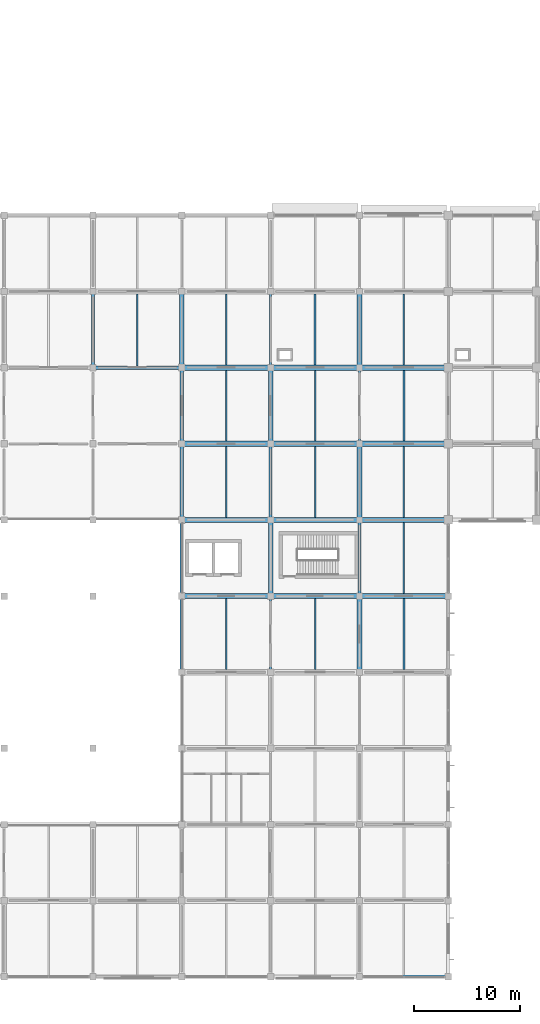
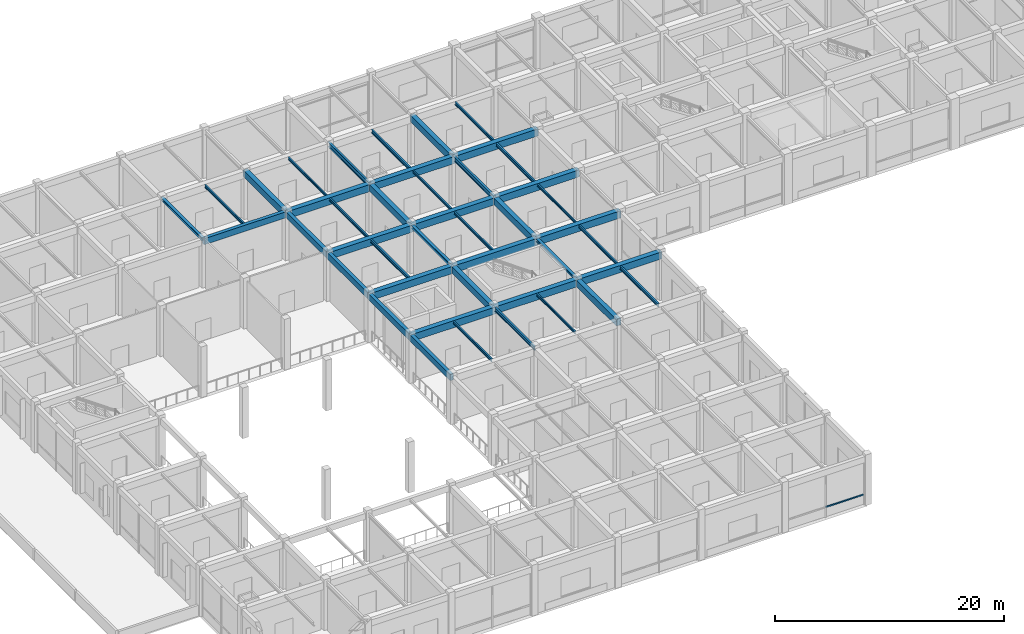
# One storey, part 6 of 38: 43 beams, 1 member, 1 element without a shape of its own.
"""IFC4 building model written with IfcOpenShell, lengths in metres."""

from ifc_helpers import new_model, si_unit, derived_unit, direction, frame, origin, origin_2d, place, context, subcontext, project, spatial, rectangle, i_section, extrude, material, material_profile, profile_set, type_object, element, aggregate, save


model = new_model("IFC4")

# Units and contexts
model_context = context("Model", 3, precision=1e-05, world=origin(), true_north=direction((0.0, 1.0)))
body_context = subcontext(model_context, "Body", "Model", "MODEL_VIEW")
ifc_project = project(units=[si_unit("LENGTHUNIT", "METRE"), si_unit("AREAUNIT", "SQUARE_METRE"), si_unit("VOLUMEUNIT", "CUBIC_METRE"), si_unit("PLANEANGLEUNIT", "RADIAN"), si_unit("MASSUNIT", "GRAM", prefix="KILO"), derived_unit("THERMALTRANSMITTANCEUNIT", [(si_unit("MASSUNIT", "GRAM", prefix="KILO"), 1), (si_unit("TIMEUNIT", "SECOND"), -3), (si_unit("THERMODYNAMICTEMPERATUREUNIT", "KELVIN"), -1)])], contexts=[model_context])

# Site, building, storey
site_placement = place(None, origin())
site = spatial("IfcSite", under=ifc_project, at=site_placement, CompositionType="ELEMENT")
building_placement = place(site_placement, origin())
building = spatial("IfcBuilding", under=site, at=building_placement, Name="Veldstrom Oceanarium and Marine Research Institute", CompositionType="ELEMENT")
storey_placement = place(building_placement, frame((0.0, 0.0, 11.39990234375)))
storey = spatial("IfcBuildingStorey", under=building, at=storey_placement, Name="L02", CompositionType="ELEMENT", Elevation=11.39990234375)

# Curtain wall, member
ifc_material_1 = material(Name="Anodised Aluminium Framing", Category="aluminium")
curtain_wall_type = type_object("IfcCurtainWallType", Name="ARC-CW-CW02", PredefinedType="USERDEFINED", material=ifc_material_1)
curtain_wall_placement = place(storey_placement, origin())
curtain_wall = element("IfcCurtainWall", 1, at=curtain_wall_placement, inside=storey, type_object=curtain_wall_type, Name="Curtain Wall CW02 CW-L02-026", ObjectType="Curtain wall", PredefinedType="USERDEFINED")
ifc_material_2 = material(Name="Anodised Aluminium Framing", Category="aluminium")
ifc_material_profile_1 = material_profile(ifc_material_2, rectangle(XDim=0.074951171875, YDim=0.14990234375, at=origin_2d()), Name="ALU-TRN-75x150")
ifc_profile_set_1 = profile_set([ifc_material_profile_1], Name="Anodised Aluminium Framing")
member_type = type_object("IfcMemberType", Name="ARC-TRN-TR1", PredefinedType="USERDEFINED", material=ifc_profile_set_1)
member_placement = place(storey_placement, frame((63.0400390625, 0.0, 1.050048828125), z_axis=(1.0, 0.0, 0.0), x_axis=(0.0, 1.0, 0.0)))
member = element("IfcMember", 2, at=member_placement, type_object=member_type, Name="Curtain Wall Transom CW-L02-026-TRN-2", ObjectType="Transom", PredefinedType="USERDEFINED", context=body_context, shape_type="SweptSolid", body=[
    extrude(rectangle(XDim=0.074951171875, YDim=0.14990234375, at=origin_2d()), origin(), (0.0, 0.0, 1.0), 3.780029296875),
])
aggregate(curtain_wall, [member])

# Beams
ifc_material_3 = material(Name="Concrete C40/50", Category="concrete")
ifc_material_profile_2 = material_profile(ifc_material_3, rectangle(XDim=0.5, YDim=0.75, at=origin_2d()), Name="RC-BM-500x750")
ifc_profile_set_2 = profile_set([ifc_material_profile_2], Name="Concrete C40/50")
beam_type_1 = type_object("IfcBeamType", Name="STR-BM-B03", PredefinedType="BEAM", material=ifc_profile_set_2)
for number, where, z_axis, x_axis, name in (
    (3, (42.0, 36.0, 4.72021484375), (1.0, 0.0, 0.0), (0.0, 1.0, 0.0), "Primary Beam B03 L02-1524"),
    (4, (42.0, 43.199951171875, 4.72021484375), (1.0, 0.0, 0.0), (0.0, 1.0, 0.0), "Primary Beam B03 L02-1525"),
    (5, (42.0, 50.39990234375, 4.72021484375), (1.0, 0.0, 0.0), (0.0, 1.0, 0.0), "Primary Beam B03 L02-1526"),
    (6, (42.0, 57.60009765625, 4.72021484375), (1.0, 0.0, 0.0), (0.0, 1.0, 0.0), "Primary Beam B03 L02-1527"),
):
    element("IfcBeam", number, at=place(storey_placement, frame(where, z_axis=z_axis, x_axis=x_axis)), inside=storey, type_object=beam_type_1, Name=name, PredefinedType="BEAM", context=body_context, shape_type="SweptSolid", body=[
        extrude(rectangle(XDim=0.5, YDim=0.75, at=origin_2d()), origin(), (0.0, 0.0, 1.0), 8.39990234375),
    ])
for number, where, z_axis, x_axis, name in (
    (7, (50.39990234375, 36.0, 4.72021484375), (1.0, 0.0, 0.0), (0.0, 1.0, 0.0), "Primary Beam B03 L02-1535"),
    (8, (50.39990234375, 43.199951171875, 4.72021484375), (1.0, 0.0, 0.0), (0.0, 1.0, 0.0), "Primary Beam B03 L02-1536"),
    (9, (50.39990234375, 50.39990234375, 4.72021484375), (1.0, 0.0, 0.0), (0.0, 1.0, 0.0), "Primary Beam B03 L02-1537"),
    (10, (50.39990234375, 57.60009765625, 4.72021484375), (1.0, 0.0, 0.0), (0.0, 1.0, 0.0), "Primary Beam B03 L02-1538"),
):
    element("IfcBeam", number, at=place(storey_placement, frame(where, z_axis=z_axis, x_axis=x_axis)), inside=storey, type_object=beam_type_1, Name=name, PredefinedType="BEAM", context=body_context, shape_type="SweptSolid", body=[
        extrude(rectangle(XDim=0.5, YDim=0.75, at=origin_2d()), origin(), (0.0, 0.0, 1.0), 8.400146484375),
    ])
for number, where, z_axis, x_axis, name in (
    (11, (58.800048828125, 36.0, 4.72021484375), (1.0, 0.0, 0.0), (0.0, 1.0, 0.0), "Primary Beam B03 L02-1546"),
    (12, (58.800048828125, 43.199951171875, 4.72021484375), (1.0, 0.0, 0.0), (0.0, 1.0, 0.0), "Primary Beam B03 L02-1547"),
    (13, (58.800048828125, 50.39990234375, 4.72021484375), (1.0, 0.0, 0.0), (0.0, 1.0, 0.0), "Primary Beam B03 L02-1548"),
    (14, (58.800048828125, 57.60009765625, 4.72021484375), (1.0, 0.0, 0.0), (0.0, 1.0, 0.0), "Primary Beam B03 L02-1549"),
):
    element("IfcBeam", number, at=place(storey_placement, frame(where, z_axis=z_axis, x_axis=x_axis)), inside=storey, type_object=beam_type_1, Name=name, PredefinedType="BEAM", context=body_context, shape_type="SweptSolid", body=[
        extrude(rectangle(XDim=0.5, YDim=0.75, at=origin_2d()), origin(), (0.0, 0.0, 1.0), 8.39990234375),
    ])
ifc_material_4 = material(Name="Concrete C40/50", Category="concrete")
ifc_material_profile_3 = material_profile(ifc_material_4, rectangle(XDim=0.449951171875, YDim=0.699951171875, at=origin_2d()), Name="RC-BM-450x700")
ifc_profile_set_3 = profile_set([ifc_material_profile_3], Name="Concrete C40/50")
beam_type_2 = type_object("IfcBeamType", Name="STR-BM-B04", PredefinedType="BEAM", material=ifc_profile_set_3)
for number, where, z_axis, x_axis, name in (
    (15, (42.0, 57.60009765625, 4.7451171875), (0.0, 1.0, 0.0), (-1.0, 0.0, 0.0), "Primary Beam B04 L02-1653"),
    (16, (50.39990234375, 36.0, 4.7451171875), (0.0, 1.0, 0.0), (-1.0, 0.0, 0.0), "Primary Beam B04 L02-1660"),
):
    element("IfcBeam", number, at=place(storey_placement, frame(where, z_axis=z_axis, x_axis=x_axis)), inside=storey, type_object=beam_type_2, Name=name, PredefinedType="BEAM", context=body_context, shape_type="SweptSolid", body=[
        extrude(rectangle(XDim=0.449951171875, YDim=0.699951171875, at=origin_2d()), origin(), (0.0, 0.0, 1.0), 7.199951171875),
    ])
beam_1_placement = place(storey_placement, frame((50.39990234375, 50.39990234375, 4.7451171875), z_axis=(0.0, 1.0, 0.0), x_axis=(-1.0, 0.0, 0.0)))
element("IfcBeam", 17, at=beam_1_placement, inside=storey, type_object=beam_type_2, Name="Primary Beam B04 L02-1662", PredefinedType="BEAM", context=body_context, shape_type="SweptSolid", body=[
    extrude(rectangle(XDim=0.449951171875, YDim=0.699951171875, at=origin_2d()), origin(), (0.0, 0.0, 1.0), 7.2001953125),
])
for number, where, z_axis, x_axis, name in (
    (18, (58.800048828125, 28.800048828125, 4.7451171875), (0.0, 1.0, 0.0), (-1.0, 0.0, 0.0), "Primary Beam B04 L02-1669"),
    (19, (58.800048828125, 43.199951171875, 4.7451171875), (0.0, 1.0, 0.0), (-1.0, 0.0, 0.0), "Primary Beam B04 L02-1671"),
    (20, (58.800048828125, 57.60009765625, 4.7451171875), (0.0, 1.0, 0.0), (-1.0, 0.0, 0.0), "Primary Beam B04 L02-1673"),
):
    element("IfcBeam", number, at=place(storey_placement, frame(where, z_axis=z_axis, x_axis=x_axis)), inside=storey, type_object=beam_type_2, Name=name, PredefinedType="BEAM", context=body_context, shape_type="SweptSolid", body=[
        extrude(rectangle(XDim=0.449951171875, YDim=0.699951171875, at=origin_2d()), origin(), (0.0, 0.0, 1.0), 7.199951171875),
    ])
ifc_material_5 = material(Name="Steel S355JR", Category="steel")
ifc_material_profile_4 = material_profile(ifc_material_5, i_section(OverallWidth=0.300048828125, OverallDepth=0.2900390625, WebThickness=0.008544921875, FlangeThickness=0.013916015625, FilletRadius=0.027099609375, at=origin_2d()), Name="HEA 300")
ifc_profile_set_4 = profile_set([ifc_material_profile_4], Name="Steel S355JR")
beam_type_3 = type_object("IfcBeamType", Name="STR-BM-SB10", PredefinedType="BEAM", material=ifc_profile_set_4)
for number, where, z_axis, x_axis, name in (
    (21, (33.60009765625, 57.60009765625, 4.9501953125), (0.0, 1.0, 0.0), (-1.0, 0.0, 0.0), "Steel Tie Beam SB10 L02-1643"),
    (22, (50.39990234375, 43.199951171875, 4.9501953125), (0.0, 1.0, 0.0), (-1.0, 0.0, 0.0), "Steel Tie Beam SB10 L02-1661"),
    (23, (58.800048828125, 36.0, 4.9501953125), (0.0, 1.0, 0.0), (-1.0, 0.0, 0.0), "Steel Tie Beam SB10 L02-1670"),
):
    element("IfcBeam", number, at=place(storey_placement, frame(where, z_axis=z_axis, x_axis=x_axis)), inside=storey, type_object=beam_type_3, Name=name, PredefinedType="BEAM", context=body_context, shape_type="SweptSolid", body=[
        extrude(i_section(OverallWidth=0.300048828125, OverallDepth=0.2900390625, WebThickness=0.008544921875, FlangeThickness=0.013916015625, FilletRadius=0.027099609375, at=origin_2d()), origin(), (0.0, 0.0, 1.0), 7.199951171875),
    ])
ifc_material_6 = material(Name="Steel S355JR", Category="steel")
ifc_material_profile_5 = material_profile(ifc_material_6, i_section(OverallWidth=0.199951171875, OverallDepth=0.5, WebThickness=0.01025390625, FlangeThickness=0.01611328125, FilletRadius=0.02099609375, at=origin_2d()), Name="IPE 500")
ifc_profile_set_5 = profile_set([ifc_material_profile_5], Name="Steel S355JR")
beam_type_4 = type_object("IfcBeamType", Name="STR-BM-SB6", PredefinedType="BEAM", material=ifc_profile_set_5)
beam_2_placement = place(storey_placement, frame((50.39990234375, 57.60009765625, 4.84521484375), z_axis=(0.0, 1.0, 0.0), x_axis=(-1.0, 0.0, 0.0)))
element("IfcBeam", 24, at=beam_2_placement, inside=storey, type_object=beam_type_4, Name="Steel Tie Beam SB6 L02-1663", PredefinedType="BEAM", context=body_context, shape_type="SweptSolid", body=[
    extrude(i_section(OverallWidth=0.199951171875, OverallDepth=0.5, WebThickness=0.01025390625, FlangeThickness=0.01611328125, FilletRadius=0.02099609375, at=origin_2d()), origin(), (0.0, 0.0, 1.0), 7.199951171875),
])
beam_3_placement = place(storey_placement, frame((58.800048828125, 50.39990234375, 4.84521484375), z_axis=(0.0, 1.0, 0.0), x_axis=(-1.0, 0.0, 0.0)))
element("IfcBeam", 25, at=beam_3_placement, inside=storey, type_object=beam_type_4, Name="Steel Tie Beam SB6 L02-1672", PredefinedType="BEAM", context=body_context, shape_type="SweptSolid", body=[
    extrude(i_section(OverallWidth=0.199951171875, OverallDepth=0.5, WebThickness=0.01025390625, FlangeThickness=0.01611328125, FilletRadius=0.02099609375, at=origin_2d()), origin(), (0.0, 0.0, 1.0), 7.2001953125),
])
ifc_material_7 = material(Name="Steel S355JR", Category="steel")
ifc_material_profile_6 = material_profile(ifc_material_7, i_section(OverallWidth=0.179931640625, OverallDepth=0.39990234375, WebThickness=0.008544921875, FlangeThickness=0.013427734375, FilletRadius=0.02099609375, at=origin_2d()), Name="IPE 400")
ifc_profile_set_6 = profile_set([ifc_material_profile_6], Name="Steel S355JR")
beam_type_5 = type_object("IfcBeamType", Name="STR-BM-SB8", PredefinedType="BEAM", material=ifc_profile_set_6)
beam_4_placement = place(storey_placement, frame((50.39990234375, 28.800048828125, 4.89501953125), z_axis=(0.0, 1.0, 0.0), x_axis=(-1.0, 0.0, 0.0)))
element("IfcBeam", 26, at=beam_4_placement, inside=storey, type_object=beam_type_5, Name="Steel Tie Beam SB8 L02-1659", PredefinedType="BEAM", context=body_context, shape_type="SweptSolid", body=[
    extrude(i_section(OverallWidth=0.179931640625, OverallDepth=0.39990234375, WebThickness=0.008544921875, FlangeThickness=0.013427734375, FilletRadius=0.02099609375, at=origin_2d()), origin(), (0.0, 0.0, 1.0), 7.199951171875),
])
ifc_material_8 = material(Name="Steel S355JR", Category="steel")
ifc_material_profile_7 = material_profile(ifc_material_8, i_section(OverallWidth=0.169921875, OverallDepth=0.360107421875, WebThickness=0.008056640625, FlangeThickness=0.0126953125, FilletRadius=0.01806640625, at=origin_2d()), Name="IPE 360")
ifc_profile_set_7 = profile_set([ifc_material_profile_7], Name="Steel S355JR")
beam_type_6 = type_object("IfcBeamType", Name="STR-JST-SJ1", PredefinedType="JOIST", material=ifc_profile_set_7)
for number, where, z_axis, x_axis, name in (
    (27, (46.199951171875, 43.449951171875, 4.9150390625), (0.0, 1.0, 0.0), (-1.0, 0.0, 0.0), "Secondary Joist SJ1 L02-1767"),
    (28, (54.60009765625, 57.85009765625, 4.9150390625), (0.0, 1.0, 0.0), (-1.0, 0.0, 0.0), "Secondary Joist SJ1 L02-1778"),
    (29, (63.0, 29.050048828125, 4.9150390625), (0.0, 1.0, 0.0), (-1.0, 0.0, 0.0), "Secondary Joist SJ1 L02-1784"),
):
    element("IfcBeam", number, at=place(storey_placement, frame(where, z_axis=z_axis, x_axis=x_axis)), inside=storey, type_object=beam_type_6, Name=name, PredefinedType="JOIST", context=body_context, shape_type="SweptSolid", body=[
        extrude(i_section(OverallWidth=0.169921875, OverallDepth=0.360107421875, WebThickness=0.008056640625, FlangeThickness=0.0126953125, FilletRadius=0.01806640625, at=origin_2d()), origin(), (0.0, 0.0, 1.0), 6.699951171875),
    ])
beam_5_placement = place(storey_placement, frame((63.0, 50.64990234375, 4.9150390625), z_axis=(0.0, 1.0, 0.0), x_axis=(-1.0, 0.0, 0.0)))
element("IfcBeam", 30, at=beam_5_placement, inside=storey, type_object=beam_type_6, Name="Secondary Joist SJ1 L02-1787", PredefinedType="JOIST", context=body_context, shape_type="SweptSolid", body=[
    extrude(i_section(OverallWidth=0.169921875, OverallDepth=0.360107421875, WebThickness=0.008056640625, FlangeThickness=0.0126953125, FilletRadius=0.01806640625, at=origin_2d()), origin(), (0.0, 0.0, 1.0), 6.7001953125),
])
ifc_material_9 = material(Name="Steel S355JR", Category="steel")
ifc_material_profile_8 = material_profile(ifc_material_9, i_section(OverallWidth=0.14990234375, OverallDepth=0.300048828125, WebThickness=0.007080078125, FlangeThickness=0.0107421875, FilletRadius=0.014892578125, at=origin_2d()), Name="IPE 300")
ifc_profile_set_8 = profile_set([ifc_material_profile_8], Name="Steel S355JR")
beam_type_7 = type_object("IfcBeamType", Name="STR-JST-SJ2", PredefinedType="JOIST", material=ifc_profile_set_8)
beam_6_placement = place(storey_placement, frame((37.800048828125, 57.77490234375, 4.945068359375), z_axis=(0.0, 1.0, 0.0), x_axis=(-1.0, 0.0, 0.0)))
element("IfcBeam", 31, at=beam_6_placement, inside=storey, type_object=beam_type_7, Name="Secondary Joist SJ2 L02-1760", PredefinedType="JOIST", context=body_context, shape_type="SweptSolid", body=[
    extrude(i_section(OverallWidth=0.14990234375, OverallDepth=0.300048828125, WebThickness=0.007080078125, FlangeThickness=0.0107421875, FilletRadius=0.014892578125, at=origin_2d()), origin(), (0.0, 0.0, 1.0), 6.775146484375),
])
beam_7_placement = place(storey_placement, frame((46.199951171875, 29.050048828125, 4.945068359375), z_axis=(0.0, 1.0, 0.0), x_axis=(-1.0, 0.0, 0.0)))
element("IfcBeam", 32, at=beam_7_placement, inside=storey, type_object=beam_type_7, Name="Secondary Joist SJ2 L02-1766", PredefinedType="JOIST", context=body_context, shape_type="SweptSolid", body=[
    extrude(i_section(OverallWidth=0.14990234375, OverallDepth=0.300048828125, WebThickness=0.007080078125, FlangeThickness=0.0107421875, FilletRadius=0.014892578125, at=origin_2d()), origin(), (0.0, 0.0, 1.0), 6.699951171875),
])
beam_8_placement = place(storey_placement, frame((46.199951171875, 50.64990234375, 4.945068359375), z_axis=(0.0, 1.0, 0.0), x_axis=(-1.0, 0.0, 0.0)))
element("IfcBeam", 33, at=beam_8_placement, inside=storey, type_object=beam_type_7, Name="Secondary Joist SJ2 L02-1768", PredefinedType="JOIST", context=body_context, shape_type="SweptSolid", body=[
    extrude(i_section(OverallWidth=0.14990234375, OverallDepth=0.300048828125, WebThickness=0.007080078125, FlangeThickness=0.0107421875, FilletRadius=0.014892578125, at=origin_2d()), origin(), (0.0, 0.0, 1.0), 6.7001953125),
])
for number, where, z_axis, x_axis, name in (
    (34, (54.60009765625, 43.449951171875, 4.945068359375), (0.0, 1.0, 0.0), (-1.0, 0.0, 0.0), "Secondary Joist SJ2 L02-1776"),
    (35, (63.0, 36.25, 4.945068359375), (0.0, 1.0, 0.0), (-1.0, 0.0, 0.0), "Secondary Joist SJ2 L02-1785"),
    (36, (63.0, 57.85009765625, 4.945068359375), (0.0, 1.0, 0.0), (-1.0, 0.0, 0.0), "Secondary Joist SJ2 L02-1788"),
):
    element("IfcBeam", number, at=place(storey_placement, frame(where, z_axis=z_axis, x_axis=x_axis)), inside=storey, type_object=beam_type_7, Name=name, PredefinedType="JOIST", context=body_context, shape_type="SweptSolid", body=[
        extrude(i_section(OverallWidth=0.14990234375, OverallDepth=0.300048828125, WebThickness=0.007080078125, FlangeThickness=0.0107421875, FilletRadius=0.014892578125, at=origin_2d()), origin(), (0.0, 0.0, 1.0), 6.699951171875),
    ])
ifc_material_10 = material(Name="Steel S355JR", Category="steel")
ifc_material_profile_9 = material_profile(ifc_material_10, i_section(OverallWidth=0.135009765625, OverallDepth=0.27001953125, WebThickness=0.006591796875, FlangeThickness=0.01025390625, FilletRadius=0.014892578125, at=origin_2d()), Name="IPE 270")
ifc_profile_set_9 = profile_set([ifc_material_profile_9], Name="Steel S355JR")
beam_type_8 = type_object("IfcBeamType", Name="STR-JST-SJ3", PredefinedType="JOIST", material=ifc_profile_set_9)
for number, where, z_axis, x_axis, name in (
    (37, (46.199951171875, 57.85009765625, 4.960205078125), (0.0, 1.0, 0.0), (-1.0, 0.0, 0.0), "Secondary Joist SJ3 L02-1769"),
    (38, (54.60009765625, 29.050048828125, 4.960205078125), (0.0, 1.0, 0.0), (-1.0, 0.0, 0.0), "Secondary Joist SJ3 L02-1775"),
):
    element("IfcBeam", number, at=place(storey_placement, frame(where, z_axis=z_axis, x_axis=x_axis)), inside=storey, type_object=beam_type_8, Name=name, PredefinedType="JOIST", context=body_context, shape_type="SweptSolid", body=[
        extrude(i_section(OverallWidth=0.135009765625, OverallDepth=0.27001953125, WebThickness=0.006591796875, FlangeThickness=0.01025390625, FilletRadius=0.014892578125, at=origin_2d()), origin(), (0.0, 0.0, 1.0), 6.699951171875),
    ])
beam_9_placement = place(storey_placement, frame((54.60009765625, 50.64990234375, 4.960205078125), z_axis=(0.0, 1.0, 0.0), x_axis=(-1.0, 0.0, 0.0)))
element("IfcBeam", 39, at=beam_9_placement, inside=storey, type_object=beam_type_8, Name="Secondary Joist SJ3 L02-1777", PredefinedType="JOIST", context=body_context, shape_type="SweptSolid", body=[
    extrude(i_section(OverallWidth=0.135009765625, OverallDepth=0.27001953125, WebThickness=0.006591796875, FlangeThickness=0.01025390625, FilletRadius=0.014892578125, at=origin_2d()), origin(), (0.0, 0.0, 1.0), 6.7001953125),
])
beam_10_placement = place(storey_placement, frame((63.0, 43.449951171875, 4.960205078125), z_axis=(0.0, 1.0, 0.0), x_axis=(-1.0, 0.0, 0.0)))
element("IfcBeam", 40, at=beam_10_placement, inside=storey, type_object=beam_type_8, Name="Secondary Joist SJ3 L02-1786", PredefinedType="JOIST", context=body_context, shape_type="SweptSolid", body=[
    extrude(i_section(OverallWidth=0.135009765625, OverallDepth=0.27001953125, WebThickness=0.006591796875, FlangeThickness=0.01025390625, FilletRadius=0.014892578125, at=origin_2d()), origin(), (0.0, 0.0, 1.0), 6.699951171875),
])
ifc_material_11 = material(Name="Concrete C40/50", Category="concrete")
ifc_material_profile_10 = material_profile(ifc_material_11, rectangle(XDim=0.35009765625, YDim=0.64990234375, at=origin_2d()), Name="RC-SPN-350x650")
ifc_profile_set_10 = profile_set([ifc_material_profile_10], Name="Concrete C40/50")
beam_type_9 = type_object("IfcBeamType", Name="STR-SPN-SP1", PredefinedType="SPANDREL", material=ifc_profile_set_10)
beam_11_placement = place(storey_placement, frame((33.60009765625, 57.60009765625, 4.77001953125), z_axis=(1.0, 0.0, 0.0), x_axis=(0.0, 1.0, 0.0)))
element("IfcBeam", 41, at=beam_11_placement, inside=storey, type_object=beam_type_9, Name="Perimeter Spandrel SPB1 L02-1516", PredefinedType="SPANDREL", context=body_context, shape_type="SweptSolid", body=[
    extrude(rectangle(XDim=0.35009765625, YDim=0.64990234375, at=origin_2d()), origin(), (0.0, 0.0, 1.0), 8.39990234375),
])
for number, where, z_axis, x_axis, name in (
    (42, (42.0, 28.800048828125, 4.77001953125), (0.0, 1.0, 0.0), (-1.0, 0.0, 0.0), "Perimeter Spandrel SPB1 L02-1649"),
    (43, (42.0, 36.0, 4.77001953125), (0.0, 1.0, 0.0), (-1.0, 0.0, 0.0), "Perimeter Spandrel SPB1 L02-1650"),
    (44, (42.0, 43.199951171875, 4.77001953125), (0.0, 1.0, 0.0), (-1.0, 0.0, 0.0), "Perimeter Spandrel SPB1 L02-1651"),
):
    element("IfcBeam", number, at=place(storey_placement, frame(where, z_axis=z_axis, x_axis=x_axis)), inside=storey, type_object=beam_type_9, Name=name, PredefinedType="SPANDREL", context=body_context, shape_type="SweptSolid", body=[
        extrude(rectangle(XDim=0.35009765625, YDim=0.64990234375, at=origin_2d()), origin(), (0.0, 0.0, 1.0), 7.199951171875),
    ])
beam_12_placement = place(storey_placement, frame((42.0, 50.39990234375, 4.77001953125), z_axis=(0.0, 1.0, 0.0), x_axis=(-1.0, 0.0, 0.0)))
element("IfcBeam", 45, at=beam_12_placement, inside=storey, type_object=beam_type_9, Name="Perimeter Spandrel SPB1 L02-1652", PredefinedType="SPANDREL", context=body_context, shape_type="SweptSolid", body=[
    extrude(rectangle(XDim=0.35009765625, YDim=0.64990234375, at=origin_2d()), origin(), (0.0, 0.0, 1.0), 7.2001953125),
])

save(model, "model.ifc")
